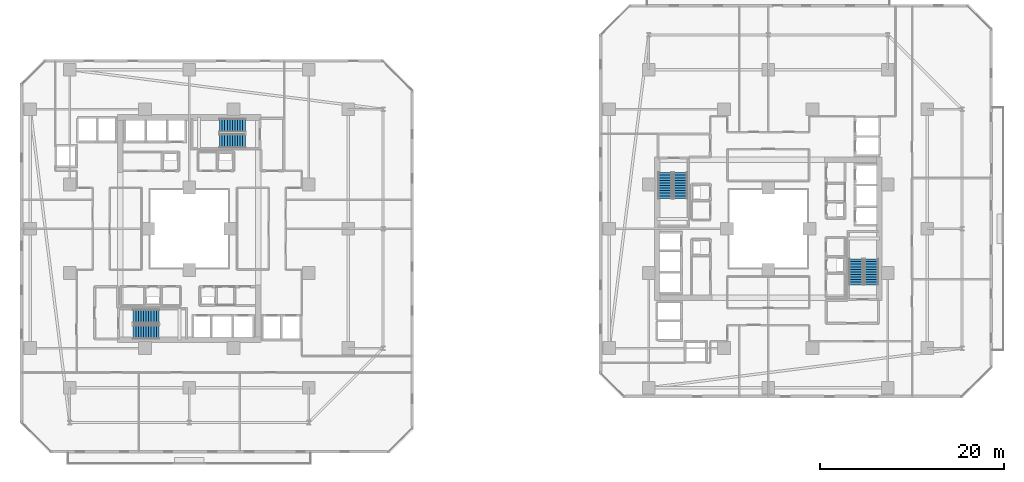
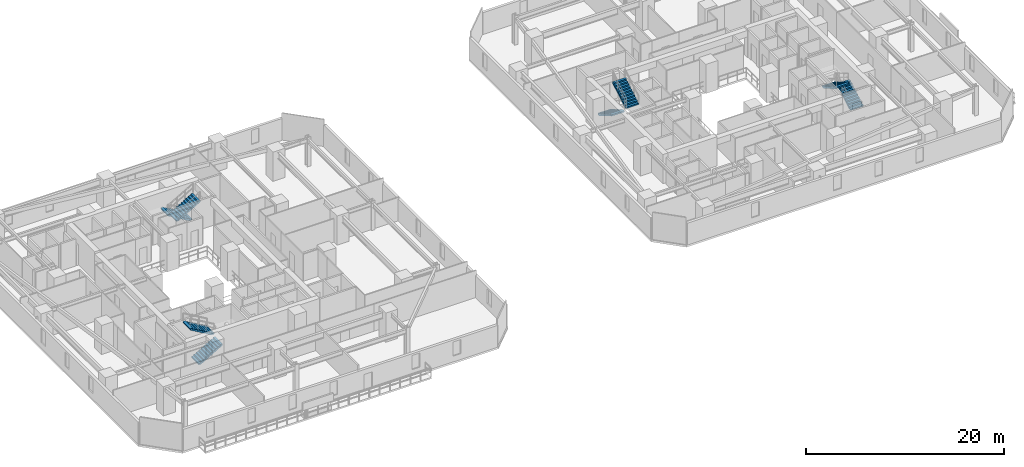
# One storey, part 28 of 34: 8 stair flights, 4 elements without a shape of their own.
"""IFC4 building model written with IfcOpenShell, lengths in metres."""

from ifc_helpers import new_model, si_unit, direction, frame, origin, place, context, subcontext, project, spatial, polyline, outline, extrude, material, type_object, element, aggregate, save


model = new_model("IFC4")

# Units and contexts
model_context = context("Model", 3, precision=1e-05, world=origin(), true_north=direction((0.0, 1.0)))
body_context = subcontext(model_context, "Body", "Model", "MODEL_VIEW")
ifc_project = project(units=[si_unit("LENGTHUNIT", "METRE"), si_unit("AREAUNIT", "SQUARE_METRE"), si_unit("VOLUMEUNIT", "CUBIC_METRE"), si_unit("PLANEANGLEUNIT", "RADIAN"), si_unit("MASSUNIT", "GRAM", prefix="KILO")], contexts=[model_context])

# Site, building, storey
site_placement = place(None, origin())
site = spatial("IfcSite", under=ifc_project, at=site_placement, CompositionType="ELEMENT")
building_placement = place(site_placement, origin())
building = spatial("IfcBuilding", under=site, at=building_placement, Name="Thornwick Lancets Civic Towers", CompositionType="ELEMENT")
storey_placement = place(building_placement, frame((0.0, 0.0, 60.89990234375)))
storey = spatial("IfcBuildingStorey", under=building, at=storey_placement, Name="L15", CompositionType="ELEMENT", Elevation=60.89990234375)

# Stair, stair flights
ifc_material = material(Name="Concrete C40/50", Category="concrete")
stair_type = type_object("IfcStairType", Name="STAIR_DL_3600", PredefinedType="HALF_TURN_STAIR", material=ifc_material)
stair_1_placement = place(storey_placement, origin())
stair_1 = element("IfcStair", 1, at=stair_1_placement, inside=storey, type_object=stair_type, Name="L15 Tower A South Exit Stair ST-A1", PredefinedType="HALF_TURN_STAIR")
stair_flight_type = type_object("IfcStairFlightType", Name="FLIGHT_3600", PredefinedType="STRAIGHT", material=ifc_material)
stair_flight_1_placement = place(storey_placement, frame((19.39990234375, 15.75, 0.0), z_axis=(0.0, 0.0, 1.0), x_axis=(1.0, 0.0, 0.0)))
stair_flight_1 = element("IfcStairFlight", 2, at=stair_flight_1_placement, type_object=stair_flight_type, Name="ST-A1 flight 1", NumberOfRisers=11, NumberOfTreads=10, PredefinedType="STRAIGHT", RiserHeight=0.163636364, TreadLength=0.28, context=body_context, shape_type="SweptSolid", body=[
    extrude(outline(polyline([(0.0, 0.0), (0.0, 0.16357421875), (0.280029296875, 0.16357421875), (0.280029296875, 0.327392578125), (0.56005859375, 0.327392578125), (0.56005859375, 0.490966796875), (0.840087890625, 0.490966796875), (0.840087890625, 0.654541015625), (1.1201171875, 0.654541015625), (1.1201171875, 0.818115234375), (1.39990234375, 0.818115234375), (1.39990234375, 0.98193359375), (1.679931640625, 0.98193359375), (1.679931640625, 1.1455078125), (1.9599609375, 1.1455078125), (1.9599609375, 1.30908203125), (2.239990234375, 1.30908203125), (2.239990234375, 1.47265625), (2.52001953125, 1.47265625), (2.52001953125, 1.636474609375), (2.800048828125, 1.636474609375), (2.800048828125, 1.800048828125), (2.800048828125, 1.462646484375), (0.297119140625, 0.0), (0.0, 0.0)])), frame((0.0, 0.75, 0.0), z_axis=(0.0, -1.0, 0.0), x_axis=(1.0, 0.0, 0.0)), (0.0, 0.0, 1.0), 1.5),
])
stair_flight_2_placement = place(storey_placement, frame((22.199951171875, 17.449951171875, 1.800048828125), z_axis=(0.0, 0.0, 1.0), x_axis=(-1.0, 0.0, 0.0)))
stair_flight_2 = element("IfcStairFlight", 3, at=stair_flight_2_placement, type_object=stair_flight_type, Name="ST-A1 flight 2", NumberOfRisers=11, NumberOfTreads=10, PredefinedType="STRAIGHT", RiserHeight=0.163636364, TreadLength=0.28, context=body_context, shape_type="SweptSolid", body=[
    extrude(outline(polyline([(0.0, 0.0), (0.0, 0.16357421875), (0.280029296875, 0.16357421875), (0.280029296875, 0.327392578125), (0.56005859375, 0.327392578125), (0.56005859375, 0.490966796875), (0.840087890625, 0.490966796875), (0.840087890625, 0.654541015625), (1.1201171875, 0.654541015625), (1.1201171875, 0.818115234375), (1.39990234375, 0.818115234375), (1.39990234375, 0.98193359375), (1.679931640625, 0.98193359375), (1.679931640625, 1.1455078125), (1.9599609375, 1.1455078125), (1.9599609375, 1.30908203125), (2.239990234375, 1.30908203125), (2.239990234375, 1.47265625), (2.52001953125, 1.47265625), (2.52001953125, 1.636474609375), (2.800048828125, 1.636474609375), (2.800048828125, 1.800048828125), (2.800048828125, 1.462646484375), (0.297119140625, 0.0), (0.0, 0.0)])), frame((0.0, 0.75, 0.0), z_axis=(0.0, -1.0, 0.0), x_axis=(1.0, 0.0, 0.0)), (0.0, 0.0, 1.0), 1.5),
])
aggregate(stair_1, [stair_flight_1, stair_flight_2])

stair_2_placement = place(storey_placement, origin())
stair_2 = element("IfcStair", 4, at=stair_2_placement, inside=storey, type_object=stair_type, Name="L15 Tower A North Exit Stair ST-A2", PredefinedType="HALF_TURN_STAIR")
stair_flight_3_placement = place(storey_placement, frame((31.60009765625, 38.25, 0.0), z_axis=(0.0, 0.0, 1.0), x_axis=(-1.0, 0.0, 0.0)))
stair_flight_3 = element("IfcStairFlight", 5, at=stair_flight_3_placement, type_object=stair_flight_type, Name="ST-A2 flight 1", NumberOfRisers=11, NumberOfTreads=10, PredefinedType="STRAIGHT", RiserHeight=0.163636364, TreadLength=0.28, context=body_context, shape_type="SweptSolid", body=[
    extrude(outline(polyline([(0.0, 0.0), (0.0, 0.16357421875), (0.280029296875, 0.16357421875), (0.280029296875, 0.327392578125), (0.56005859375, 0.327392578125), (0.56005859375, 0.490966796875), (0.840087890625, 0.490966796875), (0.840087890625, 0.654541015625), (1.1201171875, 0.654541015625), (1.1201171875, 0.818115234375), (1.39990234375, 0.818115234375), (1.39990234375, 0.98193359375), (1.679931640625, 0.98193359375), (1.679931640625, 1.1455078125), (1.9599609375, 1.1455078125), (1.9599609375, 1.30908203125), (2.239990234375, 1.30908203125), (2.239990234375, 1.47265625), (2.52001953125, 1.47265625), (2.52001953125, 1.636474609375), (2.800048828125, 1.636474609375), (2.800048828125, 1.800048828125), (2.800048828125, 1.462646484375), (0.297119140625, 0.0), (0.0, 0.0)])), frame((0.0, 0.75, 0.0), z_axis=(0.0, -1.0, 0.0), x_axis=(1.0, 0.0, 0.0)), (0.0, 0.0, 1.0), 1.5),
])
stair_flight_4_placement = place(storey_placement, frame((28.800048828125, 36.550048828125, 1.800048828125), z_axis=(0.0, 0.0, 1.0), x_axis=(1.0, 0.0, 0.0)))
stair_flight_4 = element("IfcStairFlight", 6, at=stair_flight_4_placement, type_object=stair_flight_type, Name="ST-A2 flight 2", NumberOfRisers=11, NumberOfTreads=10, PredefinedType="STRAIGHT", RiserHeight=0.163636364, TreadLength=0.28, context=body_context, shape_type="SweptSolid", body=[
    extrude(outline(polyline([(0.0, 0.0), (0.0, 0.16357421875), (0.280029296875, 0.16357421875), (0.280029296875, 0.327392578125), (0.56005859375, 0.327392578125), (0.56005859375, 0.490966796875), (0.840087890625, 0.490966796875), (0.840087890625, 0.654541015625), (1.1201171875, 0.654541015625), (1.1201171875, 0.818115234375), (1.39990234375, 0.818115234375), (1.39990234375, 0.98193359375), (1.679931640625, 0.98193359375), (1.679931640625, 1.1455078125), (1.9599609375, 1.1455078125), (1.9599609375, 1.30908203125), (2.239990234375, 1.30908203125), (2.239990234375, 1.47265625), (2.52001953125, 1.47265625), (2.52001953125, 1.636474609375), (2.800048828125, 1.636474609375), (2.800048828125, 1.800048828125), (2.800048828125, 1.462646484375), (0.297119140625, 0.0), (0.0, 0.0)])), frame((0.0, 0.75, 0.0), z_axis=(0.0, -1.0, 0.0), x_axis=(1.0, 0.0, 0.0)), (0.0, 0.0, 1.0), 1.5),
])
aggregate(stair_2, [stair_flight_3, stair_flight_4])

stair_3_placement = place(storey_placement, origin())
stair_3 = element("IfcStair", 7, at=stair_3_placement, inside=storey, type_object=stair_type, Name="L15 Tower B East Exit Stair ST-B1", PredefinedType="HALF_TURN_STAIR")
stair_flight_5_placement = place(storey_placement, frame((99.75, 20.89990234375, 0.0), z_axis=(0.0, 0.0, 1.0), x_axis=(0.0, 1.0, 0.0)))
stair_flight_5 = element("IfcStairFlight", 8, at=stair_flight_5_placement, type_object=stair_flight_type, Name="ST-B1 flight 1", NumberOfRisers=11, NumberOfTreads=10, PredefinedType="STRAIGHT", RiserHeight=0.163636364, TreadLength=0.28, context=body_context, shape_type="SweptSolid", body=[
    extrude(outline(polyline([(0.0, 0.0), (0.0, 0.16357421875), (0.280029296875, 0.16357421875), (0.280029296875, 0.327392578125), (0.56005859375, 0.327392578125), (0.56005859375, 0.490966796875), (0.840087890625, 0.490966796875), (0.840087890625, 0.654541015625), (1.1201171875, 0.654541015625), (1.1201171875, 0.818115234375), (1.39990234375, 0.818115234375), (1.39990234375, 0.98193359375), (1.679931640625, 0.98193359375), (1.679931640625, 1.1455078125), (1.9599609375, 1.1455078125), (1.9599609375, 1.30908203125), (2.239990234375, 1.30908203125), (2.239990234375, 1.47265625), (2.52001953125, 1.47265625), (2.52001953125, 1.636474609375), (2.800048828125, 1.636474609375), (2.800048828125, 1.800048828125), (2.800048828125, 1.462646484375), (0.297119140625, 0.0), (0.0, 0.0)])), frame((0.0, 0.75, 0.0), z_axis=(0.0, -1.0, 0.0), x_axis=(1.0, 0.0, 0.0)), (0.0, 0.0, 1.0), 1.5),
])
stair_flight_6_placement = place(storey_placement, frame((98.050048828125, 23.699951171875, 1.800048828125), z_axis=(0.0, 0.0, 1.0), x_axis=(0.0, -1.0, 0.0)))
stair_flight_6 = element("IfcStairFlight", 9, at=stair_flight_6_placement, type_object=stair_flight_type, Name="ST-B1 flight 2", NumberOfRisers=11, NumberOfTreads=10, PredefinedType="STRAIGHT", RiserHeight=0.163636364, TreadLength=0.28, context=body_context, shape_type="SweptSolid", body=[
    extrude(outline(polyline([(0.0, 0.0), (0.0, 0.16357421875), (0.280029296875, 0.16357421875), (0.280029296875, 0.327392578125), (0.56005859375, 0.327392578125), (0.56005859375, 0.490966796875), (0.840087890625, 0.490966796875), (0.840087890625, 0.654541015625), (1.1201171875, 0.654541015625), (1.1201171875, 0.818115234375), (1.39990234375, 0.818115234375), (1.39990234375, 0.98193359375), (1.679931640625, 0.98193359375), (1.679931640625, 1.1455078125), (1.9599609375, 1.1455078125), (1.9599609375, 1.30908203125), (2.239990234375, 1.30908203125), (2.239990234375, 1.47265625), (2.52001953125, 1.47265625), (2.52001953125, 1.636474609375), (2.800048828125, 1.636474609375), (2.800048828125, 1.800048828125), (2.800048828125, 1.462646484375), (0.297119140625, 0.0), (0.0, 0.0)])), frame((0.0, 0.75, 0.0), z_axis=(0.0, -1.0, 0.0), x_axis=(1.0, 0.0, 0.0)), (0.0, 0.0, 1.0), 1.5),
])
aggregate(stair_3, [stair_flight_5, stair_flight_6])

stair_4_placement = place(storey_placement, origin())
stair_4 = element("IfcStair", 10, at=stair_4_placement, inside=storey, type_object=stair_type, Name="L15 Tower B West Exit Stair ST-B2", PredefinedType="HALF_TURN_STAIR")
stair_flight_7_placement = place(storey_placement, frame((77.25, 33.10009765625, 0.0), z_axis=(0.0, 0.0, 1.0), x_axis=(0.0, -1.0, 0.0)))
stair_flight_7 = element("IfcStairFlight", 11, at=stair_flight_7_placement, type_object=stair_flight_type, Name="ST-B2 flight 1", NumberOfRisers=11, NumberOfTreads=10, PredefinedType="STRAIGHT", RiserHeight=0.163636364, TreadLength=0.28, context=body_context, shape_type="SweptSolid", body=[
    extrude(outline(polyline([(0.0, 0.0), (0.0, 0.16357421875), (0.280029296875, 0.16357421875), (0.280029296875, 0.327392578125), (0.56005859375, 0.327392578125), (0.56005859375, 0.490966796875), (0.840087890625, 0.490966796875), (0.840087890625, 0.654541015625), (1.1201171875, 0.654541015625), (1.1201171875, 0.818115234375), (1.39990234375, 0.818115234375), (1.39990234375, 0.98193359375), (1.679931640625, 0.98193359375), (1.679931640625, 1.1455078125), (1.9599609375, 1.1455078125), (1.9599609375, 1.30908203125), (2.239990234375, 1.30908203125), (2.239990234375, 1.47265625), (2.52001953125, 1.47265625), (2.52001953125, 1.636474609375), (2.800048828125, 1.636474609375), (2.800048828125, 1.800048828125), (2.800048828125, 1.462646484375), (0.297119140625, 0.0), (0.0, 0.0)])), frame((0.0, 0.75, 0.0), z_axis=(0.0, -1.0, 0.0), x_axis=(1.0, 0.0, 0.0)), (0.0, 0.0, 1.0), 1.5),
])
stair_flight_8_placement = place(storey_placement, frame((78.949951171875, 30.300048828125, 1.800048828125), z_axis=(0.0, 0.0, 1.0), x_axis=(0.0, 1.0, 0.0)))
stair_flight_8 = element("IfcStairFlight", 12, at=stair_flight_8_placement, type_object=stair_flight_type, Name="ST-B2 flight 2", NumberOfRisers=11, NumberOfTreads=10, PredefinedType="STRAIGHT", RiserHeight=0.163636364, TreadLength=0.28, context=body_context, shape_type="SweptSolid", body=[
    extrude(outline(polyline([(0.0, 0.0), (0.0, 0.16357421875), (0.280029296875, 0.16357421875), (0.280029296875, 0.327392578125), (0.56005859375, 0.327392578125), (0.56005859375, 0.490966796875), (0.840087890625, 0.490966796875), (0.840087890625, 0.654541015625), (1.1201171875, 0.654541015625), (1.1201171875, 0.818115234375), (1.39990234375, 0.818115234375), (1.39990234375, 0.98193359375), (1.679931640625, 0.98193359375), (1.679931640625, 1.1455078125), (1.9599609375, 1.1455078125), (1.9599609375, 1.30908203125), (2.239990234375, 1.30908203125), (2.239990234375, 1.47265625), (2.52001953125, 1.47265625), (2.52001953125, 1.636474609375), (2.800048828125, 1.636474609375), (2.800048828125, 1.800048828125), (2.800048828125, 1.462646484375), (0.297119140625, 0.0), (0.0, 0.0)])), frame((0.0, 0.75, 0.0), z_axis=(0.0, -1.0, 0.0), x_axis=(1.0, 0.0, 0.0)), (0.0, 0.0, 1.0), 1.5),
])
aggregate(stair_4, [stair_flight_7, stair_flight_8])

save(model, "model.ifc")
